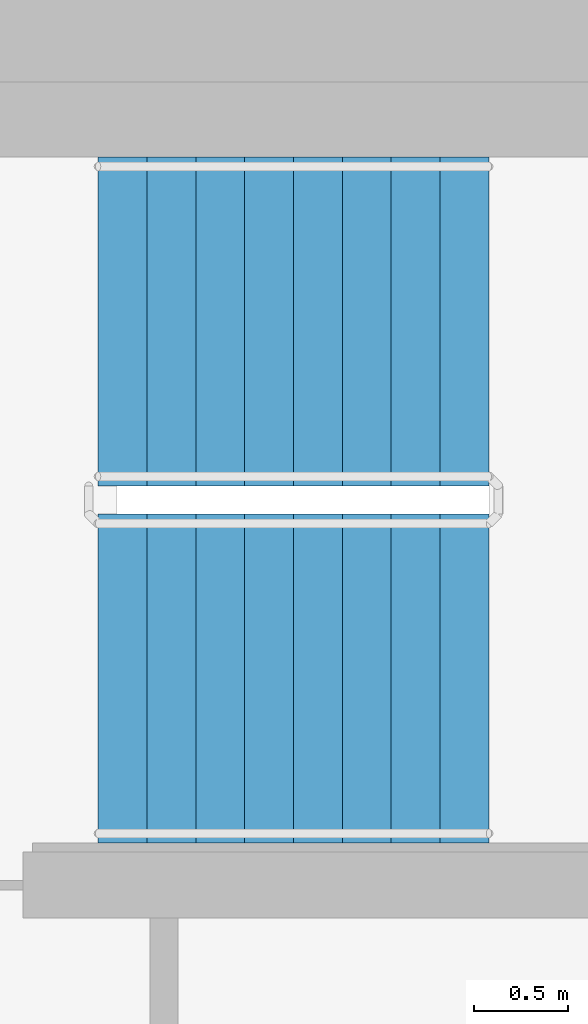
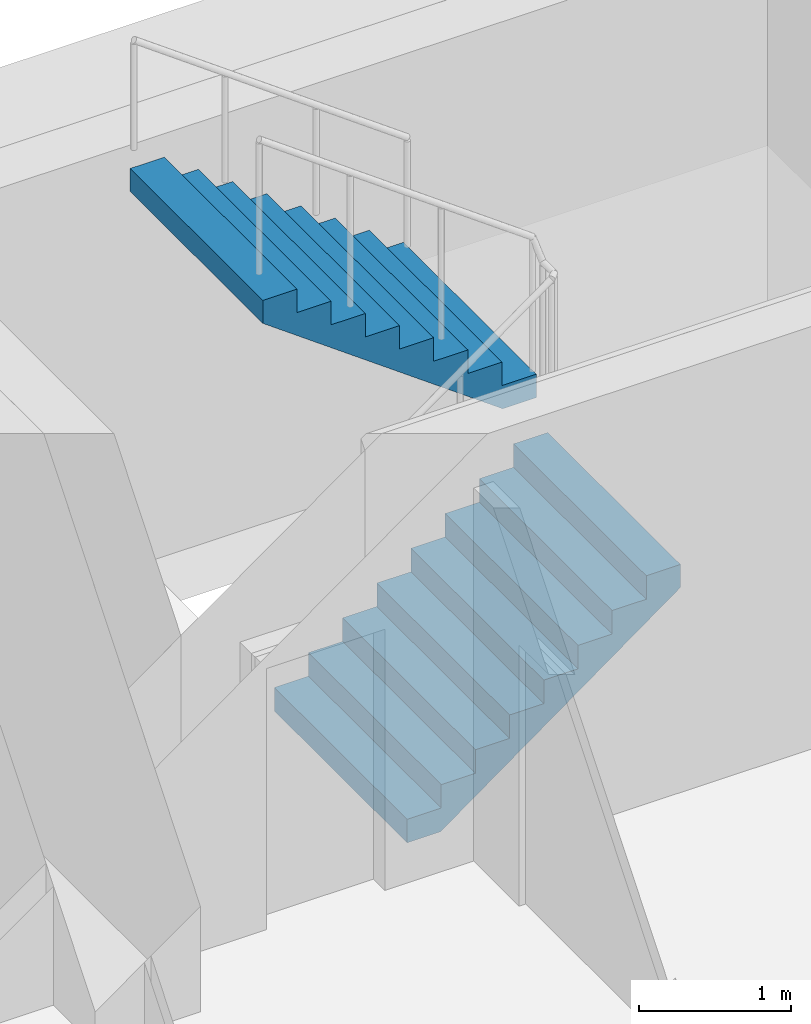
# One storey, part 14 of 19: 2 stair flights, 1 element without a shape of its own.
"""IFC4 building model written with IfcOpenShell, lengths in metres."""

from ifc_helpers import new_model, si_unit, direction, frame, origin, place, context, subcontext, project, spatial, faceted_brep, material, type_object, element, aggregate, save


model = new_model("IFC4")

# Units and contexts
model_context = context("Model", 3, precision=1e-05, world=origin(), true_north=direction((0.0, 1.0)))
body_context = subcontext(model_context, "Body", "Model", "MODEL_VIEW")
ifc_project = project(units=[si_unit("LENGTHUNIT", "METRE"), si_unit("AREAUNIT", "SQUARE_METRE"), si_unit("VOLUMEUNIT", "CUBIC_METRE"), si_unit("PLANEANGLEUNIT", "RADIAN"), si_unit("MASSUNIT", "GRAM", prefix="KILO")], contexts=[model_context])

# Site, building, storey
site_placement = place(None, origin())
site = spatial("IfcSite", under=ifc_project, at=site_placement, CompositionType="ELEMENT")
building_placement = place(site_placement, origin())
building = spatial("IfcBuilding", under=site, at=building_placement, Name="Ipe Terrace Towers", CompositionType="ELEMENT")
storey_placement = place(building_placement, frame((0.0, 0.0, 140.5)))
storey = spatial("IfcBuildingStorey", under=building, at=storey_placement, Name="L38", CompositionType="ELEMENT", Elevation=140.5)

# Stair, stair flights
ifc_material_1 = material(Name="Concrete C30/37", Category="concrete")
stair_type = type_object("IfcStairType", Name="Protected exit stair", PredefinedType="HALF_TURN_STAIR", material=ifc_material_1)
stair_placement = place(storey_placement, origin())
stair = element("IfcStair", 1, at=stair_placement, inside=storey, type_object=stair_type, Name="L38 Exit stair T1-C1", PredefinedType="HALF_TURN_STAIR")
ifc_material_2 = material(Name="Concrete C30/37", Category="concrete")
stair_flight_type = type_object("IfcStairFlightType", Name="Exit stair flight 1750", PredefinedType="STRAIGHT", material=ifc_material_2)
stair_flight_1_placement = place(storey_placement, frame((-26.300048828125, 2.77490234375, 0.0), z_axis=(0.0, 0.0, 1.0), x_axis=(1.0, 0.0, 0.0)))
stair_flight_1 = element("IfcStairFlight", 2, at=stair_flight_1_placement, type_object=stair_flight_type, Name="T1-ST1 flight 1", NumberOfRisers=9, NumberOfTreads=8, PredefinedType="STRAIGHT", RiserHeight=0.188888889, TreadLength=0.26, context=body_context, shape_type="Brep", body=[
    faceted_brep([(0.255126953125, -0.875, 0.0), (2.080078125, -0.875, 1.325927734375), (2.080078125, -0.875, 1.51123046875), (1.820068359375, -0.875, 1.51123046875), (1.820068359375, -0.875, 1.322265625), (1.56005859375, -0.875, 1.322265625), (1.56005859375, -0.875, 1.13330078125), (1.300048828125, -0.875, 1.13330078125), (1.300048828125, -0.875, 0.9443359375), (1.0400390625, -0.875, 0.9443359375), (1.0400390625, -0.875, 0.755615234375), (0.780029296875, -0.875, 0.755615234375), (0.780029296875, -0.875, 0.566650390625), (0.52001953125, -0.875, 0.566650390625), (0.52001953125, -0.875, 0.377685546875), (0.260009765625, -0.875, 0.377685546875), (0.260009765625, -0.875, 0.18896484375), (0.0, -0.875, 0.18896484375), (0.0, -0.875, 0.0), (0.0, 0.875, 0.0), (0.0, 0.875, 0.18896484375), (0.260009765625, 0.875, 0.18896484375), (0.260009765625, 0.875, 0.377685546875), (0.52001953125, 0.875, 0.377685546875), (0.52001953125, 0.875, 0.566650390625), (0.780029296875, 0.875, 0.566650390625), (0.780029296875, 0.875, 0.755615234375), (1.0400390625, 0.875, 0.755615234375), (1.0400390625, 0.875, 0.9443359375), (1.300048828125, 0.875, 0.9443359375), (1.300048828125, 0.875, 1.13330078125), (1.56005859375, 0.875, 1.13330078125), (1.56005859375, 0.875, 1.322265625), (1.820068359375, 0.875, 1.322265625), (1.820068359375, 0.875, 1.51123046875), (2.080078125, 0.875, 1.51123046875), (2.080078125, 0.875, 1.325927734375), (0.255126953125, 0.875, 0.0), (0.0, -0.300048828125, 0.18896484375), (0.0, -0.1201171875, 0.18896484375), (0.0, -0.06005859375, 0.18896484375), (0.0, -0.030029296875, 0.18896484375), (0.0, -0.010009765625, 0.18896484375), (0.0, 0.0, 0.18896484375), (0.0, 0.010009765625, 0.18896484375), (0.0, 0.030029296875, 0.18896484375), (0.0, 0.06005859375, 0.18896484375), (0.0, 0.1201171875, 0.18896484375), (0.0, 0.300048828125, 0.18896484375), (0.0, 0.300048828125, 0.0), (0.0, 0.1201171875, 0.0), (0.0, 0.06005859375, 0.0), (0.0, 0.030029296875, 0.0), (0.0, 0.010009765625, 0.0), (0.0, 0.0, 0.0), (0.0, -0.010009765625, 0.0), (0.0, -0.030029296875, 0.0), (0.0, -0.06005859375, 0.0), (0.0, -0.1201171875, 0.0), (0.0, -0.300048828125, 0.0), (0.260009765625, -0.300048828125, 0.18896484375), (0.260009765625, -0.1201171875, 0.18896484375), (0.260009765625, -0.06005859375, 0.18896484375), (0.260009765625, -0.030029296875, 0.18896484375), (0.260009765625, -0.010009765625, 0.18896484375), (0.260009765625, 0.0, 0.18896484375), (0.260009765625, 0.010009765625, 0.18896484375), (0.260009765625, 0.030029296875, 0.18896484375), (0.260009765625, 0.06005859375, 0.18896484375), (0.260009765625, 0.1201171875, 0.18896484375), (0.260009765625, 0.300048828125, 0.18896484375), (0.260009765625, -0.300048828125, 0.377685546875), (0.260009765625, -0.1201171875, 0.377685546875), (0.260009765625, -0.06005859375, 0.377685546875), (0.260009765625, -0.030029296875, 0.377685546875), (0.260009765625, -0.010009765625, 0.377685546875), (0.260009765625, 0.0, 0.377685546875), (0.260009765625, 0.010009765625, 0.377685546875), (0.260009765625, 0.030029296875, 0.377685546875), (0.260009765625, 0.06005859375, 0.377685546875), (0.260009765625, 0.1201171875, 0.377685546875), (0.260009765625, 0.300048828125, 0.377685546875), (0.52001953125, -0.300048828125, 0.377685546875), (0.52001953125, -0.1201171875, 0.377685546875), (0.52001953125, -0.06005859375, 0.377685546875), (0.52001953125, -0.030029296875, 0.377685546875), (0.52001953125, -0.010009765625, 0.377685546875), (0.52001953125, 0.0, 0.377685546875), (0.52001953125, 0.010009765625, 0.377685546875), (0.52001953125, 0.030029296875, 0.377685546875), (0.52001953125, 0.06005859375, 0.377685546875), (0.52001953125, 0.1201171875, 0.377685546875), (0.52001953125, 0.300048828125, 0.377685546875), (0.52001953125, -0.300048828125, 0.566650390625), (0.52001953125, -0.1201171875, 0.566650390625), (0.52001953125, -0.06005859375, 0.566650390625), (0.52001953125, -0.030029296875, 0.566650390625), (0.52001953125, -0.010009765625, 0.566650390625), (0.52001953125, 0.0, 0.566650390625), (0.52001953125, 0.010009765625, 0.566650390625), (0.52001953125, 0.030029296875, 0.566650390625), (0.52001953125, 0.06005859375, 0.566650390625), (0.52001953125, 0.1201171875, 0.566650390625), (0.52001953125, 0.300048828125, 0.566650390625), (0.780029296875, -0.300048828125, 0.566650390625), (0.780029296875, -0.1201171875, 0.566650390625), (0.780029296875, -0.06005859375, 0.566650390625), (0.780029296875, -0.030029296875, 0.566650390625), (0.780029296875, -0.010009765625, 0.566650390625), (0.780029296875, 0.0, 0.566650390625), (0.780029296875, 0.010009765625, 0.566650390625), (0.780029296875, 0.030029296875, 0.566650390625), (0.780029296875, 0.06005859375, 0.566650390625), (0.780029296875, 0.1201171875, 0.566650390625), (0.780029296875, 0.300048828125, 0.566650390625), (0.780029296875, -0.300048828125, 0.755615234375), (0.780029296875, -0.1201171875, 0.755615234375), (0.780029296875, -0.06005859375, 0.755615234375), (0.780029296875, -0.030029296875, 0.755615234375), (0.780029296875, -0.010009765625, 0.755615234375), (0.780029296875, 0.0, 0.755615234375), (0.780029296875, 0.010009765625, 0.755615234375), (0.780029296875, 0.030029296875, 0.755615234375), (0.780029296875, 0.06005859375, 0.755615234375), (0.780029296875, 0.1201171875, 0.755615234375), (0.780029296875, 0.300048828125, 0.755615234375), (1.0400390625, -0.300048828125, 0.755615234375), (1.0400390625, -0.1201171875, 0.755615234375), (1.0400390625, -0.06005859375, 0.755615234375), (1.0400390625, -0.030029296875, 0.755615234375), (1.0400390625, -0.010009765625, 0.755615234375), (1.0400390625, 0.0, 0.755615234375), (1.0400390625, 0.010009765625, 0.755615234375), (1.0400390625, 0.030029296875, 0.755615234375), (1.0400390625, 0.06005859375, 0.755615234375), (1.0400390625, 0.1201171875, 0.755615234375), (1.0400390625, 0.300048828125, 0.755615234375), (1.0400390625, -0.300048828125, 0.9443359375), (1.0400390625, -0.1201171875, 0.9443359375), (1.0400390625, -0.06005859375, 0.9443359375), (1.0400390625, -0.030029296875, 0.9443359375), (1.0400390625, -0.010009765625, 0.9443359375), (1.0400390625, 0.0, 0.9443359375), (1.0400390625, 0.010009765625, 0.9443359375), (1.0400390625, 0.030029296875, 0.9443359375), (1.0400390625, 0.06005859375, 0.9443359375), (1.0400390625, 0.1201171875, 0.9443359375), (1.0400390625, 0.300048828125, 0.9443359375), (1.300048828125, -0.300048828125, 0.9443359375), (1.300048828125, -0.1201171875, 0.9443359375), (1.300048828125, -0.06005859375, 0.9443359375), (1.300048828125, -0.030029296875, 0.9443359375), (1.300048828125, -0.010009765625, 0.9443359375), (1.300048828125, 0.0, 0.9443359375), (1.300048828125, 0.010009765625, 0.9443359375), (1.300048828125, 0.030029296875, 0.9443359375), (1.300048828125, 0.06005859375, 0.9443359375), (1.300048828125, 0.1201171875, 0.9443359375), (1.300048828125, 0.300048828125, 0.9443359375), (1.300048828125, -0.300048828125, 1.13330078125), (1.300048828125, -0.1201171875, 1.13330078125), (1.300048828125, -0.06005859375, 1.13330078125), (1.300048828125, -0.030029296875, 1.13330078125), (1.300048828125, -0.010009765625, 1.13330078125), (1.300048828125, 0.0, 1.13330078125), (1.300048828125, 0.010009765625, 1.13330078125), (1.300048828125, 0.030029296875, 1.13330078125), (1.300048828125, 0.06005859375, 1.13330078125), (1.300048828125, 0.1201171875, 1.13330078125), (1.300048828125, 0.300048828125, 1.13330078125), (1.56005859375, -0.300048828125, 1.13330078125), (1.56005859375, -0.1201171875, 1.13330078125), (1.56005859375, -0.06005859375, 1.13330078125), (1.56005859375, -0.030029296875, 1.13330078125), (1.56005859375, -0.010009765625, 1.13330078125), (1.56005859375, 0.0, 1.13330078125), (1.56005859375, 0.010009765625, 1.13330078125), (1.56005859375, 0.030029296875, 1.13330078125), (1.56005859375, 0.06005859375, 1.13330078125), (1.56005859375, 0.1201171875, 1.13330078125), (1.56005859375, 0.300048828125, 1.13330078125), (1.56005859375, -0.300048828125, 1.322265625), (1.56005859375, -0.1201171875, 1.322265625), (1.56005859375, -0.06005859375, 1.322265625), (1.56005859375, -0.030029296875, 1.322265625), (1.56005859375, -0.010009765625, 1.322265625), (1.56005859375, 0.0, 1.322265625), (1.56005859375, 0.010009765625, 1.322265625), (1.56005859375, 0.030029296875, 1.322265625), (1.56005859375, 0.06005859375, 1.322265625), (1.56005859375, 0.1201171875, 1.322265625), (1.56005859375, 0.300048828125, 1.322265625), (1.820068359375, -0.300048828125, 1.322265625), (1.820068359375, -0.1201171875, 1.322265625), (1.820068359375, -0.06005859375, 1.322265625), (1.820068359375, -0.030029296875, 1.322265625), (1.820068359375, -0.010009765625, 1.322265625), (1.820068359375, 0.0, 1.322265625), (1.820068359375, 0.010009765625, 1.322265625), (1.820068359375, 0.030029296875, 1.322265625), (1.820068359375, 0.06005859375, 1.322265625), (1.820068359375, 0.1201171875, 1.322265625), (1.820068359375, 0.300048828125, 1.322265625), (1.820068359375, -0.300048828125, 1.51123046875), (1.820068359375, -0.1201171875, 1.51123046875), (1.820068359375, -0.06005859375, 1.51123046875), (1.820068359375, -0.030029296875, 1.51123046875), (1.820068359375, -0.010009765625, 1.51123046875), (1.820068359375, 0.0, 1.51123046875), (1.820068359375, 0.010009765625, 1.51123046875), (1.820068359375, 0.030029296875, 1.51123046875), (1.820068359375, 0.06005859375, 1.51123046875), (1.820068359375, 0.1201171875, 1.51123046875), (1.820068359375, 0.300048828125, 1.51123046875), (2.080078125, -0.300048828125, 1.51123046875), (2.080078125, -0.1201171875, 1.51123046875), (2.080078125, -0.06005859375, 1.51123046875), (2.080078125, -0.030029296875, 1.51123046875), (2.080078125, -0.010009765625, 1.51123046875), (2.080078125, 0.0, 1.51123046875), (2.080078125, 0.010009765625, 1.51123046875), (2.080078125, 0.030029296875, 1.51123046875), (2.080078125, 0.06005859375, 1.51123046875), (2.080078125, 0.1201171875, 1.51123046875), (2.080078125, 0.300048828125, 1.51123046875), (2.080078125, -0.300048828125, 1.325927734375), (2.080078125, -0.1201171875, 1.325927734375), (2.080078125, -0.06005859375, 1.325927734375), (2.080078125, -0.030029296875, 1.325927734375), (2.080078125, -0.010009765625, 1.325927734375), (2.080078125, 0.0, 1.325927734375), (2.080078125, 0.010009765625, 1.325927734375), (2.080078125, 0.030029296875, 1.325927734375), (2.080078125, 0.06005859375, 1.325927734375), (2.080078125, 0.1201171875, 1.325927734375), (2.080078125, 0.300048828125, 1.325927734375), (0.255126953125, -0.300048828125, 0.0), (0.255126953125, -0.1201171875, 0.0), (0.255126953125, -0.06005859375, 0.0), (0.255126953125, -0.030029296875, 0.0), (0.255126953125, -0.010009765625, 0.0), (0.255126953125, 0.0, 0.0), (0.255126953125, 0.010009765625, 0.0), (0.255126953125, 0.030029296875, 0.0), (0.255126953125, 0.06005859375, 0.0), (0.255126953125, 0.1201171875, 0.0), (0.255126953125, 0.300048828125, 0.0)], [[[0, 1, 2, 3, 4, 5, 6, 7, 8, 9, 10, 11, 12, 13, 14, 15, 16, 17, 18]], [[19, 20, 21, 22, 23, 24, 25, 26, 27, 28, 29, 30, 31, 32, 33, 34, 35, 36, 37]], [[17, 38, 39, 40, 41, 42, 43, 44, 45, 46, 47, 48, 20, 19, 49, 50, 51, 52, 53, 54, 55, 56, 57, 58, 59, 18]], [[16, 60, 61, 62, 63, 64, 65, 66, 67, 68, 69, 70, 21, 20, 48, 47, 46, 45, 44, 43, 42, 41, 40, 39, 38, 17]], [[15, 71, 72, 73, 74, 75, 76, 77, 78, 79, 80, 81, 22, 21, 70, 69, 68, 67, 66, 65, 64, 63, 62, 61, 60, 16]], [[14, 82, 83, 84, 85, 86, 87, 88, 89, 90, 91, 92, 23, 22, 81, 80, 79, 78, 77, 76, 75, 74, 73, 72, 71, 15]], [[13, 93, 94, 95, 96, 97, 98, 99, 100, 101, 102, 103, 24, 23, 92, 91, 90, 89, 88, 87, 86, 85, 84, 83, 82, 14]], [[12, 104, 105, 106, 107, 108, 109, 110, 111, 112, 113, 114, 25, 24, 103, 102, 101, 100, 99, 98, 97, 96, 95, 94, 93, 13]], [[11, 115, 116, 117, 118, 119, 120, 121, 122, 123, 124, 125, 26, 25, 114, 113, 112, 111, 110, 109, 108, 107, 106, 105, 104, 12]], [[10, 126, 127, 128, 129, 130, 131, 132, 133, 134, 135, 136, 27, 26, 125, 124, 123, 122, 121, 120, 119, 118, 117, 116, 115, 11]], [[9, 137, 138, 139, 140, 141, 142, 143, 144, 145, 146, 147, 28, 27, 136, 135, 134, 133, 132, 131, 130, 129, 128, 127, 126, 10]], [[8, 148, 149, 150, 151, 152, 153, 154, 155, 156, 157, 158, 29, 28, 147, 146, 145, 144, 143, 142, 141, 140, 139, 138, 137, 9]], [[7, 159, 160, 161, 162, 163, 164, 165, 166, 167, 168, 169, 30, 29, 158, 157, 156, 155, 154, 153, 152, 151, 150, 149, 148, 8]], [[6, 170, 171, 172, 173, 174, 175, 176, 177, 178, 179, 180, 31, 30, 169, 168, 167, 166, 165, 164, 163, 162, 161, 160, 159, 7]], [[5, 181, 182, 183, 184, 185, 186, 187, 188, 189, 190, 191, 32, 31, 180, 179, 178, 177, 176, 175, 174, 173, 172, 171, 170, 6]], [[4, 192, 193, 194, 195, 196, 197, 198, 199, 200, 201, 202, 33, 32, 191, 190, 189, 188, 187, 186, 185, 184, 183, 182, 181, 5]], [[3, 203, 204, 205, 206, 207, 208, 209, 210, 211, 212, 213, 34, 33, 202, 201, 200, 199, 198, 197, 196, 195, 194, 193, 192, 4]], [[2, 214, 215, 216, 217, 218, 219, 220, 221, 222, 223, 224, 35, 34, 213, 212, 211, 210, 209, 208, 207, 206, 205, 204, 203, 3]], [[1, 225, 226, 227, 228, 229, 230, 231, 232, 233, 234, 235, 36, 35, 224, 223, 222, 221, 220, 219, 218, 217, 216, 215, 214, 2]], [[0, 236, 237, 238, 239, 240, 241, 242, 243, 244, 245, 246, 37, 36, 235, 234, 233, 232, 231, 230, 229, 228, 227, 226, 225, 1]], [[18, 59, 58, 57, 56, 55, 54, 53, 52, 51, 50, 49, 19, 37, 246, 245, 244, 243, 242, 241, 240, 239, 238, 237, 236, 0]]]),
])
stair_flight_2_placement = place(storey_placement, frame((-24.219970703125, 4.675048828125, 1.699951171875), z_axis=(0.0, 0.0, 1.0), x_axis=(-1.0, 0.0, 0.0)))
stair_flight_2 = element("IfcStairFlight", 3, at=stair_flight_2_placement, type_object=stair_flight_type, Name="T1-ST1 flight 2", NumberOfRisers=9, NumberOfTreads=8, PredefinedType="STRAIGHT", RiserHeight=0.188888889, TreadLength=0.26, context=body_context, shape_type="Brep", body=[
    faceted_brep([(0.255126953125, -0.875, 0.0), (2.080078125, -0.875, 1.325927734375), (2.080078125, -0.875, 1.51123046875), (1.820068359375, -0.875, 1.51123046875), (1.820068359375, -0.875, 1.322265625), (1.56005859375, -0.875, 1.322265625), (1.56005859375, -0.875, 1.13330078125), (1.300048828125, -0.875, 1.13330078125), (1.300048828125, -0.875, 0.9443359375), (1.0400390625, -0.875, 0.9443359375), (1.0400390625, -0.875, 0.755615234375), (0.780029296875, -0.875, 0.755615234375), (0.780029296875, -0.875, 0.566650390625), (0.52001953125, -0.875, 0.566650390625), (0.52001953125, -0.875, 0.377685546875), (0.260009765625, -0.875, 0.377685546875), (0.260009765625, -0.875, 0.18896484375), (0.0, -0.875, 0.18896484375), (0.0, -0.875, 0.0), (0.0, 0.875, 0.0), (0.0, 0.875, 0.18896484375), (0.260009765625, 0.875, 0.18896484375), (0.260009765625, 0.875, 0.377685546875), (0.52001953125, 0.875, 0.377685546875), (0.52001953125, 0.875, 0.566650390625), (0.780029296875, 0.875, 0.566650390625), (0.780029296875, 0.875, 0.755615234375), (1.0400390625, 0.875, 0.755615234375), (1.0400390625, 0.875, 0.9443359375), (1.300048828125, 0.875, 0.9443359375), (1.300048828125, 0.875, 1.13330078125), (1.56005859375, 0.875, 1.13330078125), (1.56005859375, 0.875, 1.322265625), (1.820068359375, 0.875, 1.322265625), (1.820068359375, 0.875, 1.51123046875), (2.080078125, 0.875, 1.51123046875), (2.080078125, 0.875, 1.325927734375), (0.255126953125, 0.875, 0.0), (0.0, -0.300048828125, 0.18896484375), (0.0, -0.1201171875, 0.18896484375), (0.0, -0.06005859375, 0.18896484375), (0.0, -0.030029296875, 0.18896484375), (0.0, -0.010009765625, 0.18896484375), (0.0, 0.0, 0.18896484375), (0.0, 0.010009765625, 0.18896484375), (0.0, 0.030029296875, 0.18896484375), (0.0, 0.06005859375, 0.18896484375), (0.0, 0.1201171875, 0.18896484375), (0.0, 0.300048828125, 0.18896484375), (0.0, 0.300048828125, 0.0), (0.0, 0.1201171875, 0.0), (0.0, 0.06005859375, 0.0), (0.0, 0.030029296875, 0.0), (0.0, 0.010009765625, 0.0), (0.0, 0.0, 0.0), (0.0, -0.010009765625, 0.0), (0.0, -0.030029296875, 0.0), (0.0, -0.06005859375, 0.0), (0.0, -0.1201171875, 0.0), (0.0, -0.300048828125, 0.0), (0.260009765625, -0.300048828125, 0.18896484375), (0.260009765625, -0.1201171875, 0.18896484375), (0.260009765625, -0.06005859375, 0.18896484375), (0.260009765625, -0.030029296875, 0.18896484375), (0.260009765625, -0.010009765625, 0.18896484375), (0.260009765625, 0.0, 0.18896484375), (0.260009765625, 0.010009765625, 0.18896484375), (0.260009765625, 0.030029296875, 0.18896484375), (0.260009765625, 0.06005859375, 0.18896484375), (0.260009765625, 0.1201171875, 0.18896484375), (0.260009765625, 0.300048828125, 0.18896484375), (0.260009765625, -0.300048828125, 0.377685546875), (0.260009765625, -0.1201171875, 0.377685546875), (0.260009765625, -0.06005859375, 0.377685546875), (0.260009765625, -0.030029296875, 0.377685546875), (0.260009765625, -0.010009765625, 0.377685546875), (0.260009765625, 0.0, 0.377685546875), (0.260009765625, 0.010009765625, 0.377685546875), (0.260009765625, 0.030029296875, 0.377685546875), (0.260009765625, 0.06005859375, 0.377685546875), (0.260009765625, 0.1201171875, 0.377685546875), (0.260009765625, 0.300048828125, 0.377685546875), (0.52001953125, -0.300048828125, 0.377685546875), (0.52001953125, -0.1201171875, 0.377685546875), (0.52001953125, -0.06005859375, 0.377685546875), (0.52001953125, -0.030029296875, 0.377685546875), (0.52001953125, -0.010009765625, 0.377685546875), (0.52001953125, 0.0, 0.377685546875), (0.52001953125, 0.010009765625, 0.377685546875), (0.52001953125, 0.030029296875, 0.377685546875), (0.52001953125, 0.06005859375, 0.377685546875), (0.52001953125, 0.1201171875, 0.377685546875), (0.52001953125, 0.300048828125, 0.377685546875), (0.52001953125, -0.300048828125, 0.566650390625), (0.52001953125, -0.1201171875, 0.566650390625), (0.52001953125, -0.06005859375, 0.566650390625), (0.52001953125, -0.030029296875, 0.566650390625), (0.52001953125, -0.010009765625, 0.566650390625), (0.52001953125, 0.0, 0.566650390625), (0.52001953125, 0.010009765625, 0.566650390625), (0.52001953125, 0.030029296875, 0.566650390625), (0.52001953125, 0.06005859375, 0.566650390625), (0.52001953125, 0.1201171875, 0.566650390625), (0.52001953125, 0.300048828125, 0.566650390625), (0.780029296875, -0.300048828125, 0.566650390625), (0.780029296875, -0.1201171875, 0.566650390625), (0.780029296875, -0.06005859375, 0.566650390625), (0.780029296875, -0.030029296875, 0.566650390625), (0.780029296875, -0.010009765625, 0.566650390625), (0.780029296875, 0.0, 0.566650390625), (0.780029296875, 0.010009765625, 0.566650390625), (0.780029296875, 0.030029296875, 0.566650390625), (0.780029296875, 0.06005859375, 0.566650390625), (0.780029296875, 0.1201171875, 0.566650390625), (0.780029296875, 0.300048828125, 0.566650390625), (0.780029296875, -0.300048828125, 0.755615234375), (0.780029296875, -0.1201171875, 0.755615234375), (0.780029296875, -0.06005859375, 0.755615234375), (0.780029296875, -0.030029296875, 0.755615234375), (0.780029296875, -0.010009765625, 0.755615234375), (0.780029296875, 0.0, 0.755615234375), (0.780029296875, 0.010009765625, 0.755615234375), (0.780029296875, 0.030029296875, 0.755615234375), (0.780029296875, 0.06005859375, 0.755615234375), (0.780029296875, 0.1201171875, 0.755615234375), (0.780029296875, 0.300048828125, 0.755615234375), (1.0400390625, -0.300048828125, 0.755615234375), (1.0400390625, -0.1201171875, 0.755615234375), (1.0400390625, -0.06005859375, 0.755615234375), (1.0400390625, -0.030029296875, 0.755615234375), (1.0400390625, -0.010009765625, 0.755615234375), (1.0400390625, 0.0, 0.755615234375), (1.0400390625, 0.010009765625, 0.755615234375), (1.0400390625, 0.030029296875, 0.755615234375), (1.0400390625, 0.06005859375, 0.755615234375), (1.0400390625, 0.1201171875, 0.755615234375), (1.0400390625, 0.300048828125, 0.755615234375), (1.0400390625, -0.300048828125, 0.9443359375), (1.0400390625, -0.1201171875, 0.9443359375), (1.0400390625, -0.06005859375, 0.9443359375), (1.0400390625, -0.030029296875, 0.9443359375), (1.0400390625, -0.010009765625, 0.9443359375), (1.0400390625, 0.0, 0.9443359375), (1.0400390625, 0.010009765625, 0.9443359375), (1.0400390625, 0.030029296875, 0.9443359375), (1.0400390625, 0.06005859375, 0.9443359375), (1.0400390625, 0.1201171875, 0.9443359375), (1.0400390625, 0.300048828125, 0.9443359375), (1.300048828125, -0.300048828125, 0.9443359375), (1.300048828125, -0.1201171875, 0.9443359375), (1.300048828125, -0.06005859375, 0.9443359375), (1.300048828125, -0.030029296875, 0.9443359375), (1.300048828125, -0.010009765625, 0.9443359375), (1.300048828125, 0.0, 0.9443359375), (1.300048828125, 0.010009765625, 0.9443359375), (1.300048828125, 0.030029296875, 0.9443359375), (1.300048828125, 0.06005859375, 0.9443359375), (1.300048828125, 0.1201171875, 0.9443359375), (1.300048828125, 0.300048828125, 0.9443359375), (1.300048828125, -0.300048828125, 1.13330078125), (1.300048828125, -0.1201171875, 1.13330078125), (1.300048828125, -0.06005859375, 1.13330078125), (1.300048828125, -0.030029296875, 1.13330078125), (1.300048828125, -0.010009765625, 1.13330078125), (1.300048828125, 0.0, 1.13330078125), (1.300048828125, 0.010009765625, 1.13330078125), (1.300048828125, 0.030029296875, 1.13330078125), (1.300048828125, 0.06005859375, 1.13330078125), (1.300048828125, 0.1201171875, 1.13330078125), (1.300048828125, 0.300048828125, 1.13330078125), (1.56005859375, -0.300048828125, 1.13330078125), (1.56005859375, -0.1201171875, 1.13330078125), (1.56005859375, -0.06005859375, 1.13330078125), (1.56005859375, -0.030029296875, 1.13330078125), (1.56005859375, -0.010009765625, 1.13330078125), (1.56005859375, 0.0, 1.13330078125), (1.56005859375, 0.010009765625, 1.13330078125), (1.56005859375, 0.030029296875, 1.13330078125), (1.56005859375, 0.06005859375, 1.13330078125), (1.56005859375, 0.1201171875, 1.13330078125), (1.56005859375, 0.300048828125, 1.13330078125), (1.56005859375, -0.300048828125, 1.322265625), (1.56005859375, -0.1201171875, 1.322265625), (1.56005859375, -0.06005859375, 1.322265625), (1.56005859375, -0.030029296875, 1.322265625), (1.56005859375, -0.010009765625, 1.322265625), (1.56005859375, 0.0, 1.322265625), (1.56005859375, 0.010009765625, 1.322265625), (1.56005859375, 0.030029296875, 1.322265625), (1.56005859375, 0.06005859375, 1.322265625), (1.56005859375, 0.1201171875, 1.322265625), (1.56005859375, 0.300048828125, 1.322265625), (1.820068359375, -0.300048828125, 1.322265625), (1.820068359375, -0.1201171875, 1.322265625), (1.820068359375, -0.06005859375, 1.322265625), (1.820068359375, -0.030029296875, 1.322265625), (1.820068359375, -0.010009765625, 1.322265625), (1.820068359375, 0.0, 1.322265625), (1.820068359375, 0.010009765625, 1.322265625), (1.820068359375, 0.030029296875, 1.322265625), (1.820068359375, 0.06005859375, 1.322265625), (1.820068359375, 0.1201171875, 1.322265625), (1.820068359375, 0.300048828125, 1.322265625), (1.820068359375, -0.300048828125, 1.51123046875), (1.820068359375, -0.1201171875, 1.51123046875), (1.820068359375, -0.06005859375, 1.51123046875), (1.820068359375, -0.030029296875, 1.51123046875), (1.820068359375, -0.010009765625, 1.51123046875), (1.820068359375, 0.0, 1.51123046875), (1.820068359375, 0.010009765625, 1.51123046875), (1.820068359375, 0.030029296875, 1.51123046875), (1.820068359375, 0.06005859375, 1.51123046875), (1.820068359375, 0.1201171875, 1.51123046875), (1.820068359375, 0.300048828125, 1.51123046875), (2.080078125, -0.300048828125, 1.51123046875), (2.080078125, -0.1201171875, 1.51123046875), (2.080078125, -0.06005859375, 1.51123046875), (2.080078125, -0.030029296875, 1.51123046875), (2.080078125, -0.010009765625, 1.51123046875), (2.080078125, 0.0, 1.51123046875), (2.080078125, 0.010009765625, 1.51123046875), (2.080078125, 0.030029296875, 1.51123046875), (2.080078125, 0.06005859375, 1.51123046875), (2.080078125, 0.1201171875, 1.51123046875), (2.080078125, 0.300048828125, 1.51123046875), (2.080078125, -0.300048828125, 1.325927734375), (2.080078125, -0.1201171875, 1.325927734375), (2.080078125, -0.06005859375, 1.325927734375), (2.080078125, -0.030029296875, 1.325927734375), (2.080078125, -0.010009765625, 1.325927734375), (2.080078125, 0.0, 1.325927734375), (2.080078125, 0.010009765625, 1.325927734375), (2.080078125, 0.030029296875, 1.325927734375), (2.080078125, 0.06005859375, 1.325927734375), (2.080078125, 0.1201171875, 1.325927734375), (2.080078125, 0.300048828125, 1.325927734375), (0.255126953125, -0.300048828125, 0.0), (0.255126953125, -0.1201171875, 0.0), (0.255126953125, -0.06005859375, 0.0), (0.255126953125, -0.030029296875, 0.0), (0.255126953125, -0.010009765625, 0.0), (0.255126953125, 0.0, 0.0), (0.255126953125, 0.010009765625, 0.0), (0.255126953125, 0.030029296875, 0.0), (0.255126953125, 0.06005859375, 0.0), (0.255126953125, 0.1201171875, 0.0), (0.255126953125, 0.300048828125, 0.0)], [[[0, 1, 2, 3, 4, 5, 6, 7, 8, 9, 10, 11, 12, 13, 14, 15, 16, 17, 18]], [[19, 20, 21, 22, 23, 24, 25, 26, 27, 28, 29, 30, 31, 32, 33, 34, 35, 36, 37]], [[17, 38, 39, 40, 41, 42, 43, 44, 45, 46, 47, 48, 20, 19, 49, 50, 51, 52, 53, 54, 55, 56, 57, 58, 59, 18]], [[16, 60, 61, 62, 63, 64, 65, 66, 67, 68, 69, 70, 21, 20, 48, 47, 46, 45, 44, 43, 42, 41, 40, 39, 38, 17]], [[15, 71, 72, 73, 74, 75, 76, 77, 78, 79, 80, 81, 22, 21, 70, 69, 68, 67, 66, 65, 64, 63, 62, 61, 60, 16]], [[14, 82, 83, 84, 85, 86, 87, 88, 89, 90, 91, 92, 23, 22, 81, 80, 79, 78, 77, 76, 75, 74, 73, 72, 71, 15]], [[13, 93, 94, 95, 96, 97, 98, 99, 100, 101, 102, 103, 24, 23, 92, 91, 90, 89, 88, 87, 86, 85, 84, 83, 82, 14]], [[12, 104, 105, 106, 107, 108, 109, 110, 111, 112, 113, 114, 25, 24, 103, 102, 101, 100, 99, 98, 97, 96, 95, 94, 93, 13]], [[11, 115, 116, 117, 118, 119, 120, 121, 122, 123, 124, 125, 26, 25, 114, 113, 112, 111, 110, 109, 108, 107, 106, 105, 104, 12]], [[10, 126, 127, 128, 129, 130, 131, 132, 133, 134, 135, 136, 27, 26, 125, 124, 123, 122, 121, 120, 119, 118, 117, 116, 115, 11]], [[9, 137, 138, 139, 140, 141, 142, 143, 144, 145, 146, 147, 28, 27, 136, 135, 134, 133, 132, 131, 130, 129, 128, 127, 126, 10]], [[8, 148, 149, 150, 151, 152, 153, 154, 155, 156, 157, 158, 29, 28, 147, 146, 145, 144, 143, 142, 141, 140, 139, 138, 137, 9]], [[7, 159, 160, 161, 162, 163, 164, 165, 166, 167, 168, 169, 30, 29, 158, 157, 156, 155, 154, 153, 152, 151, 150, 149, 148, 8]], [[6, 170, 171, 172, 173, 174, 175, 176, 177, 178, 179, 180, 31, 30, 169, 168, 167, 166, 165, 164, 163, 162, 161, 160, 159, 7]], [[5, 181, 182, 183, 184, 185, 186, 187, 188, 189, 190, 191, 32, 31, 180, 179, 178, 177, 176, 175, 174, 173, 172, 171, 170, 6]], [[4, 192, 193, 194, 195, 196, 197, 198, 199, 200, 201, 202, 33, 32, 191, 190, 189, 188, 187, 186, 185, 184, 183, 182, 181, 5]], [[3, 203, 204, 205, 206, 207, 208, 209, 210, 211, 212, 213, 34, 33, 202, 201, 200, 199, 198, 197, 196, 195, 194, 193, 192, 4]], [[2, 214, 215, 216, 217, 218, 219, 220, 221, 222, 223, 224, 35, 34, 213, 212, 211, 210, 209, 208, 207, 206, 205, 204, 203, 3]], [[1, 225, 226, 227, 228, 229, 230, 231, 232, 233, 234, 235, 36, 35, 224, 223, 222, 221, 220, 219, 218, 217, 216, 215, 214, 2]], [[0, 236, 237, 238, 239, 240, 241, 242, 243, 244, 245, 246, 37, 36, 235, 234, 233, 232, 231, 230, 229, 228, 227, 226, 225, 1]], [[18, 59, 58, 57, 56, 55, 54, 53, 52, 51, 50, 49, 19, 37, 246, 245, 244, 243, 242, 241, 240, 239, 238, 237, 236, 0]]]),
])
aggregate(stair, [stair_flight_1, stair_flight_2])

save(model, "model.ifc")
